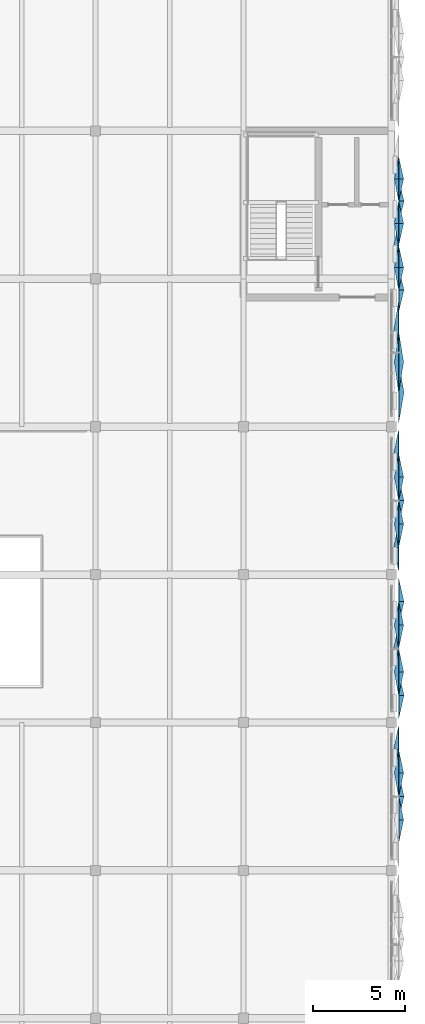
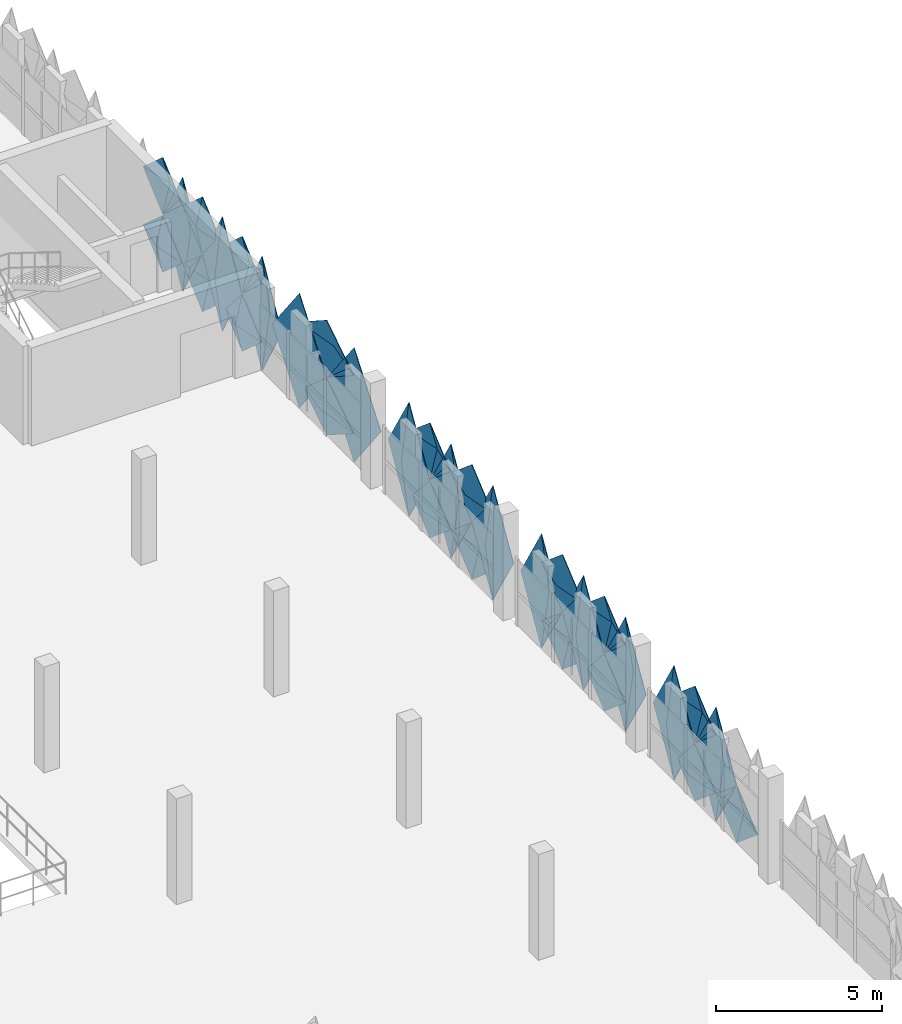
# One storey, part 61 of 83: 32 plates.
"""IFC4 building model written with IfcOpenShell, lengths in metres."""

from ifc_helpers import new_model, si_unit, derived_unit, direction, frame, origin, place, context, subcontext, project, spatial, polygons, material, layer, layer_set, type_object, element, save


model = new_model("IFC4")

# Units and contexts
model_context = context("Model", 3, precision=1e-05, world=origin(), true_north=direction((0.0, 1.0)))
body_context = subcontext(model_context, "Body", "Model", "MODEL_VIEW")
ifc_project = project(units=[si_unit("LENGTHUNIT", "METRE"), si_unit("AREAUNIT", "SQUARE_METRE"), si_unit("VOLUMEUNIT", "CUBIC_METRE"), si_unit("PLANEANGLEUNIT", "RADIAN"), si_unit("MASSUNIT", "GRAM", prefix="KILO"), si_unit("THERMODYNAMICTEMPERATUREUNIT", "KELVIN"), derived_unit("THERMALTRANSMITTANCEUNIT", [(si_unit("POWERUNIT", "WATT"), 1), (si_unit("AREAUNIT", "SQUARE_METRE"), -1), (si_unit("THERMODYNAMICTEMPERATUREUNIT", "KELVIN"), -1)])], contexts=[model_context])

# Site, building, storey
site_placement = place(None, origin())
site = spatial("IfcSite", under=ifc_project, at=site_placement, CompositionType="ELEMENT")
building_placement = place(site_placement, origin())
building = spatial("IfcBuilding", under=site, at=building_placement, Name="Haiyu Intermodal Mobility Hub", CompositionType="ELEMENT")
storey_placement = place(building_placement, frame((0.0, 0.0, 13.39990234375)))
storey = spatial("IfcBuildingStorey", under=building, at=storey_placement, Name="L03", CompositionType="ELEMENT", Elevation=13.39990234375)

# Plates
ifc_material = material(Name="Anodised aluminium 6063-T6", Category="aluminium")
ifc_layer_1 = layer(ifc_material, 0.01806640625)
ifc_layer_set_1 = layer_set([ifc_layer_1], Name="Anodised aluminium 6063-T6")
plate_type_1 = type_object("IfcPlateType", Name="PLT-FC01", PredefinedType="USERDEFINED", material=ifc_layer_set_1)
plate_1_placement = place(storey_placement, origin())
element("IfcPlate", 1, at=plate_1_placement, inside=storey, type_object=plate_type_1, Name="PLT-PYR-1380", ObjectType="FACADE CASSETTE", PredefinedType="USERDEFINED", context=body_context, shape_type="Tessellation", body=[
    polygons([(210.39990234375, 64.60009765625, 1.6201171875), (210.39990234375, 65.780029296875, 2.670166015625), (210.39990234375, 64.60009765625, 3.72021484375), (210.39990234375, 63.419921875, 2.670166015625), (210.659912109375, 64.60009765625, 2.670166015625), (210.3779296875, 64.60009765625, 1.6201171875), (210.3779296875, 65.780029296875, 2.670166015625), (210.3779296875, 64.60009765625, 3.72021484375), (210.3779296875, 63.419921875, 2.670166015625), (210.637939453125, 64.60009765625, 2.670166015625)], [[[1, 2, 5]], [[2, 3, 5]], [[3, 4, 5]], [[4, 1, 5]], [[7, 6, 10]], [[8, 7, 10]], [[9, 8, 10]], [[6, 9, 10]], [[1, 6, 7, 2]], [[2, 7, 8, 3]], [[3, 8, 9, 4]], [[4, 9, 6, 1]]], closed=True),
])
plate_2_placement = place(storey_placement, origin())
element("IfcPlate", 2, at=plate_2_placement, inside=storey, type_object=plate_type_1, Name="PLT-PYR-1386", ObjectType="FACADE CASSETTE", PredefinedType="USERDEFINED", context=body_context, shape_type="Tessellation", body=[
    polygons([(210.39990234375, 69.39990234375, 1.6201171875), (210.39990234375, 70.580078125, 2.670166015625), (210.39990234375, 69.39990234375, 3.72021484375), (210.39990234375, 68.219970703125, 2.670166015625), (210.659912109375, 69.39990234375, 2.670166015625), (210.3779296875, 69.39990234375, 1.6201171875), (210.3779296875, 70.580078125, 2.670166015625), (210.3779296875, 69.39990234375, 3.72021484375), (210.3779296875, 68.219970703125, 2.670166015625), (210.637939453125, 69.39990234375, 2.670166015625)], [[[1, 2, 5]], [[2, 3, 5]], [[3, 4, 5]], [[4, 1, 5]], [[7, 6, 10]], [[8, 7, 10]], [[9, 8, 10]], [[6, 9, 10]], [[1, 6, 7, 2]], [[2, 7, 8, 3]], [[3, 8, 9, 4]], [[4, 9, 6, 1]]], closed=True),
])
plate_3_placement = place(storey_placement, origin())
element("IfcPlate", 3, at=plate_3_placement, inside=storey, type_object=plate_type_1, Name="PLT-PYR-1795", ObjectType="FACADE CASSETTE", PredefinedType="USERDEFINED", context=body_context, shape_type="Tessellation", body=[
    polygons([(210.39990234375, 36.0, -0.510009765625), (210.39990234375, 37.2470703125, 1.60009765625), (210.39990234375, 36.0, 3.710205078125), (210.39990234375, 34.7529296875, 1.60009765625), (210.679931640625, 36.0, 1.60009765625), (210.3779296875, 36.0, -0.510009765625), (210.3779296875, 37.2470703125, 1.60009765625), (210.3779296875, 36.0, 3.710205078125), (210.3779296875, 34.7529296875, 1.60009765625), (210.657958984375, 36.0, 1.60009765625)], [[[1, 2, 5]], [[2, 3, 5]], [[3, 4, 5]], [[4, 1, 5]], [[7, 6, 10]], [[8, 7, 10]], [[9, 8, 10]], [[6, 9, 10]], [[1, 6, 7, 2]], [[2, 7, 8, 3]], [[3, 8, 9, 4]], [[4, 9, 6, 1]]], closed=True),
])
plate_4_placement = place(storey_placement, origin())
element("IfcPlate", 4, at=plate_4_placement, inside=storey, type_object=plate_type_1, Name="PLT-PYR-1797", ObjectType="FACADE CASSETTE", PredefinedType="USERDEFINED", context=body_context, shape_type="Tessellation", body=[
    polygons([(210.39990234375, 37.26708984375, 1.6201171875), (210.39990234375, 38.512939453125, 2.670166015625), (210.39990234375, 37.26708984375, 3.72021484375), (210.39990234375, 36.02001953125, 2.670166015625), (210.659912109375, 37.26708984375, 2.670166015625), (210.3779296875, 37.26708984375, 1.6201171875), (210.3779296875, 38.512939453125, 2.670166015625), (210.3779296875, 37.26708984375, 3.72021484375), (210.3779296875, 36.02001953125, 2.670166015625), (210.637939453125, 37.26708984375, 2.670166015625)], [[[1, 2, 5]], [[2, 3, 5]], [[3, 4, 5]], [[4, 1, 5]], [[7, 6, 10]], [[8, 7, 10]], [[9, 8, 10]], [[6, 9, 10]], [[1, 6, 7, 2]], [[2, 7, 8, 3]], [[3, 8, 9, 4]], [[4, 9, 6, 1]]], closed=True),
])
plate_5_placement = place(storey_placement, origin())
element("IfcPlate", 5, at=plate_5_placement, inside=storey, type_object=plate_type_1, Name="PLT-PYR-1801", ObjectType="FACADE CASSETTE", PredefinedType="USERDEFINED", context=body_context, shape_type="Tessellation", body=[
    polygons([(210.39990234375, 42.73291015625, 1.6201171875), (210.39990234375, 43.97998046875, 2.670166015625), (210.39990234375, 42.73291015625, 3.72021484375), (210.39990234375, 41.487060546875, 2.670166015625), (210.659912109375, 42.73291015625, 2.670166015625), (210.3779296875, 42.73291015625, 1.6201171875), (210.3779296875, 43.97998046875, 2.670166015625), (210.3779296875, 42.73291015625, 3.72021484375), (210.3779296875, 41.487060546875, 2.670166015625), (210.637939453125, 42.73291015625, 2.670166015625)], [[[1, 2, 5]], [[2, 3, 5]], [[3, 4, 5]], [[4, 1, 5]], [[7, 6, 10]], [[8, 7, 10]], [[9, 8, 10]], [[6, 9, 10]], [[1, 6, 7, 2]], [[2, 7, 8, 3]], [[3, 8, 9, 4]], [[4, 9, 6, 1]]], closed=True),
])
plate_6_placement = place(storey_placement, origin())
element("IfcPlate", 6, at=plate_6_placement, inside=storey, type_object=plate_type_1, Name="PLT-PYR-1809", ObjectType="FACADE CASSETTE", PredefinedType="USERDEFINED", context=body_context, shape_type="Tessellation", body=[
    polygons([(210.39990234375, 52.0, -0.510009765625), (210.39990234375, 53.2470703125, 1.60009765625), (210.39990234375, 52.0, 3.710205078125), (210.39990234375, 50.7529296875, 1.60009765625), (210.679931640625, 52.0, 1.60009765625), (210.3779296875, 52.0, -0.510009765625), (210.3779296875, 53.2470703125, 1.60009765625), (210.3779296875, 52.0, 3.710205078125), (210.3779296875, 50.7529296875, 1.60009765625), (210.657958984375, 52.0, 1.60009765625)], [[[1, 2, 5]], [[2, 3, 5]], [[3, 4, 5]], [[4, 1, 5]], [[7, 6, 10]], [[8, 7, 10]], [[9, 8, 10]], [[6, 9, 10]], [[1, 6, 7, 2]], [[2, 7, 8, 3]], [[3, 8, 9, 4]], [[4, 9, 6, 1]]], closed=True),
])
plate_7_placement = place(storey_placement, origin())
element("IfcPlate", 7, at=plate_7_placement, inside=storey, type_object=plate_type_1, Name="PLT-PYR-1811", ObjectType="FACADE CASSETTE", PredefinedType="USERDEFINED", context=body_context, shape_type="Tessellation", body=[
    polygons([(210.39990234375, 53.26708984375, 1.6201171875), (210.39990234375, 54.512939453125, 2.670166015625), (210.39990234375, 53.26708984375, 3.72021484375), (210.39990234375, 52.02001953125, 2.670166015625), (210.659912109375, 53.26708984375, 2.670166015625), (210.3779296875, 53.26708984375, 1.6201171875), (210.3779296875, 54.512939453125, 2.670166015625), (210.3779296875, 53.26708984375, 3.72021484375), (210.3779296875, 52.02001953125, 2.670166015625), (210.637939453125, 53.26708984375, 2.670166015625)], [[[1, 2, 5]], [[2, 3, 5]], [[3, 4, 5]], [[4, 1, 5]], [[7, 6, 10]], [[8, 7, 10]], [[9, 8, 10]], [[6, 9, 10]], [[1, 6, 7, 2]], [[2, 7, 8, 3]], [[3, 8, 9, 4]], [[4, 9, 6, 1]]], closed=True),
])
plate_8_placement = place(storey_placement, origin())
element("IfcPlate", 8, at=plate_8_placement, inside=storey, type_object=plate_type_1, Name="PLT-PYR-1815", ObjectType="FACADE CASSETTE", PredefinedType="USERDEFINED", context=body_context, shape_type="Tessellation", body=[
    polygons([(210.39990234375, 59.5, 1.6201171875), (210.39990234375, 61.1298828125, 2.670166015625), (210.39990234375, 59.5, 3.72021484375), (210.39990234375, 57.8701171875, 2.670166015625), (210.659912109375, 59.5, 2.670166015625), (210.3779296875, 59.5, 1.6201171875), (210.3779296875, 61.1298828125, 2.670166015625), (210.3779296875, 59.5, 3.72021484375), (210.3779296875, 57.8701171875, 2.670166015625), (210.637939453125, 59.5, 2.670166015625)], [[[1, 2, 5]], [[2, 3, 5]], [[3, 4, 5]], [[4, 1, 5]], [[7, 6, 10]], [[8, 7, 10]], [[9, 8, 10]], [[6, 9, 10]], [[1, 6, 7, 2]], [[2, 7, 8, 3]], [[3, 8, 9, 4]], [[4, 9, 6, 1]]], closed=True),
])
ifc_layer_2 = layer(ifc_material, 0.02001953125)
ifc_layer_set_2 = layer_set([ifc_layer_2], Name="Anodised aluminium 6063-T6")
plate_type_2 = type_object("IfcPlateType", Name="PLT-FC02", PredefinedType="USERDEFINED", material=ifc_layer_set_2)
plate_9_placement = place(storey_placement, origin())
element("IfcPlate", 9, at=plate_9_placement, inside=storey, type_object=plate_type_2, Name="PLT-PYR-1381", ObjectType="FACADE CASSETTE", PredefinedType="USERDEFINED", context=body_context, shape_type="Tessellation", body=[
    polygons([(210.39990234375, 65.800048828125, -0.510009765625), (210.39990234375, 66.97998046875, 1.60009765625), (210.39990234375, 65.800048828125, 3.710205078125), (210.39990234375, 64.6201171875, 1.60009765625), (210.139892578125, 65.800048828125, 1.60009765625), (210.3779296875, 65.800048828125, -0.510009765625), (210.3779296875, 66.97998046875, 1.60009765625), (210.3779296875, 65.800048828125, 3.710205078125), (210.3779296875, 64.6201171875, 1.60009765625), (210.117919921875, 65.800048828125, 1.60009765625)], [[[1, 2, 5]], [[2, 3, 5]], [[3, 4, 5]], [[4, 1, 5]], [[7, 6, 10]], [[8, 7, 10]], [[9, 8, 10]], [[6, 9, 10]], [[1, 6, 7, 2]], [[2, 7, 8, 3]], [[3, 8, 9, 4]], [[4, 9, 6, 1]]], closed=True),
])
plate_10_placement = place(storey_placement, origin())
element("IfcPlate", 10, at=plate_10_placement, inside=storey, type_object=plate_type_2, Name="PLT-PYR-1383", ObjectType="FACADE CASSETTE", PredefinedType="USERDEFINED", context=body_context, shape_type="Tessellation", body=[
    polygons([(210.39990234375, 67.0, 1.6201171875), (210.39990234375, 68.179931640625, 2.670166015625), (210.39990234375, 67.0, 3.72021484375), (210.39990234375, 65.820068359375, 2.670166015625), (210.179931640625, 67.0, 2.670166015625), (210.3779296875, 67.0, 1.6201171875), (210.3779296875, 68.179931640625, 2.670166015625), (210.3779296875, 67.0, 3.72021484375), (210.3779296875, 65.820068359375, 2.670166015625), (210.157958984375, 67.0, 2.670166015625)], [[[1, 2, 5]], [[2, 3, 5]], [[3, 4, 5]], [[4, 1, 5]], [[7, 6, 10]], [[8, 7, 10]], [[9, 8, 10]], [[6, 9, 10]], [[1, 6, 7, 2]], [[2, 7, 8, 3]], [[3, 8, 9, 4]], [[4, 9, 6, 1]]], closed=True),
])
plate_11_placement = place(storey_placement, origin())
element("IfcPlate", 11, at=plate_11_placement, inside=storey, type_object=plate_type_2, Name="PLT-PYR-1802", ObjectType="FACADE CASSETTE", PredefinedType="USERDEFINED", context=body_context, shape_type="Tessellation", body=[
    polygons([(210.39990234375, 44.0, -0.510009765625), (210.39990234375, 45.2470703125, 1.60009765625), (210.39990234375, 44.0, 3.710205078125), (210.39990234375, 42.7529296875, 1.60009765625), (210.139892578125, 44.0, 1.60009765625), (210.3779296875, 44.0, -0.510009765625), (210.3779296875, 45.2470703125, 1.60009765625), (210.3779296875, 44.0, 3.710205078125), (210.3779296875, 42.7529296875, 1.60009765625), (210.117919921875, 44.0, 1.60009765625)], [[[1, 2, 5]], [[2, 3, 5]], [[3, 4, 5]], [[4, 1, 5]], [[7, 6, 10]], [[8, 7, 10]], [[9, 8, 10]], [[6, 9, 10]], [[1, 6, 7, 2]], [[2, 7, 8, 3]], [[3, 8, 9, 4]], [[4, 9, 6, 1]]], closed=True),
])
plate_12_placement = place(storey_placement, origin())
element("IfcPlate", 12, at=plate_12_placement, inside=storey, type_object=plate_type_2, Name="PLT-PYR-1804", ObjectType="FACADE CASSETTE", PredefinedType="USERDEFINED", context=body_context, shape_type="Tessellation", body=[
    polygons([(210.39990234375, 45.26708984375, 1.6201171875), (210.39990234375, 46.512939453125, 2.670166015625), (210.39990234375, 45.26708984375, 3.72021484375), (210.39990234375, 44.02001953125, 2.670166015625), (210.179931640625, 45.26708984375, 2.670166015625), (210.3779296875, 45.26708984375, 1.6201171875), (210.3779296875, 46.512939453125, 2.670166015625), (210.3779296875, 45.26708984375, 3.72021484375), (210.3779296875, 44.02001953125, 2.670166015625), (210.157958984375, 45.26708984375, 2.670166015625)], [[[1, 2, 5]], [[2, 3, 5]], [[3, 4, 5]], [[4, 1, 5]], [[7, 6, 10]], [[8, 7, 10]], [[9, 8, 10]], [[6, 9, 10]], [[1, 6, 7, 2]], [[2, 7, 8, 3]], [[3, 8, 9, 4]], [[4, 9, 6, 1]]], closed=True),
])
plate_13_placement = place(storey_placement, origin())
element("IfcPlate", 13, at=plate_13_placement, inside=storey, type_object=plate_type_2, Name="PLT-PYR-1808", ObjectType="FACADE CASSETTE", PredefinedType="USERDEFINED", context=body_context, shape_type="Tessellation", body=[
    polygons([(210.39990234375, 50.73291015625, 1.6201171875), (210.39990234375, 51.97998046875, 2.670166015625), (210.39990234375, 50.73291015625, 3.72021484375), (210.39990234375, 49.487060546875, 2.670166015625), (210.179931640625, 50.73291015625, 2.670166015625), (210.3779296875, 50.73291015625, 1.6201171875), (210.3779296875, 51.97998046875, 2.670166015625), (210.3779296875, 50.73291015625, 3.72021484375), (210.3779296875, 49.487060546875, 2.670166015625), (210.157958984375, 50.73291015625, 2.670166015625)], [[[1, 2, 5]], [[2, 3, 5]], [[3, 4, 5]], [[4, 1, 5]], [[7, 6, 10]], [[8, 7, 10]], [[9, 8, 10]], [[6, 9, 10]], [[1, 6, 7, 2]], [[2, 7, 8, 3]], [[3, 8, 9, 4]], [[4, 9, 6, 1]]], closed=True),
])
plate_14_placement = place(storey_placement, origin())
element("IfcPlate", 14, at=plate_14_placement, inside=storey, type_object=plate_type_2, Name="PLT-PYR-1816", ObjectType="FACADE CASSETTE", PredefinedType="USERDEFINED", context=body_context, shape_type="Tessellation", body=[
    polygons([(210.39990234375, 61.14990234375, -0.510009765625), (210.39990234375, 62.780029296875, 1.60009765625), (210.39990234375, 61.14990234375, 3.710205078125), (210.39990234375, 59.52001953125, 1.60009765625), (210.139892578125, 61.14990234375, 1.60009765625), (210.3779296875, 61.14990234375, -0.510009765625), (210.3779296875, 62.780029296875, 1.60009765625), (210.3779296875, 61.14990234375, 3.710205078125), (210.3779296875, 59.52001953125, 1.60009765625), (210.117919921875, 61.14990234375, 1.60009765625)], [[[1, 2, 5]], [[2, 3, 5]], [[3, 4, 5]], [[4, 1, 5]], [[7, 6, 10]], [[8, 7, 10]], [[9, 8, 10]], [[6, 9, 10]], [[1, 6, 7, 2]], [[2, 7, 8, 3]], [[3, 8, 9, 4]], [[4, 9, 6, 1]]], closed=True),
])
ifc_layer_3 = layer(ifc_material, 0.01806640625)
ifc_layer_set_3 = layer_set([ifc_layer_3], Name="Anodised aluminium 6063-T6")
plate_type_3 = type_object("IfcPlateType", Name="PLT-FC03", PredefinedType="USERDEFINED", material=ifc_layer_set_3)
plate_15_placement = place(storey_placement, origin())
element("IfcPlate", 15, at=plate_15_placement, inside=storey, type_object=plate_type_3, Name="PLT-PYR-1384", ObjectType="FACADE CASSETTE", PredefinedType="USERDEFINED", context=body_context, shape_type="Tessellation", body=[
    polygons([(210.39990234375, 68.199951171875, -0.510009765625), (210.39990234375, 69.3798828125, 1.60009765625), (210.39990234375, 68.199951171875, 3.710205078125), (210.39990234375, 67.02001953125, 1.60009765625), (210.679931640625, 68.199951171875, 1.60009765625), (210.3779296875, 68.199951171875, -0.510009765625), (210.3779296875, 69.3798828125, 1.60009765625), (210.3779296875, 68.199951171875, 3.710205078125), (210.3779296875, 67.02001953125, 1.60009765625), (210.657958984375, 68.199951171875, 1.60009765625)], [[[1, 2, 5]], [[2, 3, 5]], [[3, 4, 5]], [[4, 1, 5]], [[7, 6, 10]], [[8, 7, 10]], [[9, 8, 10]], [[6, 9, 10]], [[1, 6, 7, 2]], [[2, 7, 8, 3]], [[3, 8, 9, 4]], [[4, 9, 6, 1]]], closed=True),
])
plate_16_placement = place(storey_placement, origin())
element("IfcPlate", 16, at=plate_16_placement, inside=storey, type_object=plate_type_3, Name="PLT-PYR-1805", ObjectType="FACADE CASSETTE", PredefinedType="USERDEFINED", context=body_context, shape_type="Tessellation", body=[
    polygons([(210.39990234375, 46.532958984375, -0.510009765625), (210.39990234375, 47.780029296875, 1.60009765625), (210.39990234375, 46.532958984375, 3.710205078125), (210.39990234375, 45.287109375, 1.60009765625), (210.679931640625, 46.532958984375, 1.60009765625), (210.3779296875, 46.532958984375, -0.510009765625), (210.3779296875, 47.780029296875, 1.60009765625), (210.3779296875, 46.532958984375, 3.710205078125), (210.3779296875, 45.287109375, 1.60009765625), (210.657958984375, 46.532958984375, 1.60009765625)], [[[1, 2, 5]], [[2, 3, 5]], [[3, 4, 5]], [[4, 1, 5]], [[7, 6, 10]], [[8, 7, 10]], [[9, 8, 10]], [[6, 9, 10]], [[1, 6, 7, 2]], [[2, 7, 8, 3]], [[3, 8, 9, 4]], [[4, 9, 6, 1]]], closed=True),
])
ifc_layer_4 = layer(ifc_material, 0.02001953125)
ifc_layer_set_4 = layer_set([ifc_layer_4], Name="Anodised aluminium 6063-T6")
plate_type_4 = type_object("IfcPlateType", Name="PLT-FC04", PredefinedType="USERDEFINED", material=ifc_layer_set_4)
plate_17_placement = place(storey_placement, origin())
element("IfcPlate", 17, at=plate_17_placement, inside=storey, type_object=plate_type_4, Name="PLT-PYR-1798", ObjectType="FACADE CASSETTE", PredefinedType="USERDEFINED", context=body_context, shape_type="Tessellation", body=[
    polygons([(210.39990234375, 38.532958984375, -0.510009765625), (210.39990234375, 39.780029296875, 1.60009765625), (210.39990234375, 38.532958984375, 3.710205078125), (210.39990234375, 37.287109375, 1.60009765625), (210.139892578125, 38.532958984375, 1.60009765625), (210.3779296875, 38.532958984375, -0.510009765625), (210.3779296875, 39.780029296875, 1.60009765625), (210.3779296875, 38.532958984375, 3.710205078125), (210.3779296875, 37.287109375, 1.60009765625), (210.117919921875, 38.532958984375, 1.60009765625)], [[[1, 2, 5]], [[2, 3, 5]], [[3, 4, 5]], [[4, 1, 5]], [[7, 6, 10]], [[8, 7, 10]], [[9, 8, 10]], [[6, 9, 10]], [[1, 6, 7, 2]], [[2, 7, 8, 3]], [[3, 8, 9, 4]], [[4, 9, 6, 1]]], closed=True),
])
plate_18_placement = place(storey_placement, origin())
element("IfcPlate", 18, at=plate_18_placement, inside=storey, type_object=plate_type_4, Name="PLT-PYR-1812", ObjectType="FACADE CASSETTE", PredefinedType="USERDEFINED", context=body_context, shape_type="Tessellation", body=[
    polygons([(210.39990234375, 54.532958984375, -0.510009765625), (210.39990234375, 55.780029296875, 1.60009765625), (210.39990234375, 54.532958984375, 3.710205078125), (210.39990234375, 53.287109375, 1.60009765625), (210.139892578125, 54.532958984375, 1.60009765625), (210.3779296875, 54.532958984375, -0.510009765625), (210.3779296875, 55.780029296875, 1.60009765625), (210.3779296875, 54.532958984375, 3.710205078125), (210.3779296875, 53.287109375, 1.60009765625), (210.117919921875, 54.532958984375, 1.60009765625)], [[[1, 2, 5]], [[2, 3, 5]], [[3, 4, 5]], [[4, 1, 5]], [[7, 6, 10]], [[8, 7, 10]], [[9, 8, 10]], [[6, 9, 10]], [[1, 6, 7, 2]], [[2, 7, 8, 3]], [[3, 8, 9, 4]], [[4, 9, 6, 1]]], closed=True),
])
ifc_layer_5 = layer(ifc_material, 0.02197265625)
ifc_layer_set_5 = layer_set([ifc_layer_5], Name="Anodised aluminium 6063-T6")
plate_type_5 = type_object("IfcPlateType", Name="PLT-FC07", PredefinedType="USERDEFINED", material=ifc_layer_set_5)
plate_19_placement = place(storey_placement, origin())
element("IfcPlate", 19, at=plate_19_placement, inside=storey, type_object=plate_type_5, Name="PLT-PYR-1378", ObjectType="FACADE CASSETTE", PredefinedType="USERDEFINED", context=body_context, shape_type="Tessellation", body=[
    polygons([(210.39990234375, 63.39990234375, -0.510009765625), (210.39990234375, 64.580078125, 1.60009765625), (210.39990234375, 63.39990234375, 3.710205078125), (210.39990234375, 62.219970703125, 1.60009765625), (210.679931640625, 63.39990234375, 1.60009765625), (210.3779296875, 63.39990234375, -0.510009765625), (210.3779296875, 64.580078125, 1.60009765625), (210.3779296875, 63.39990234375, 3.710205078125), (210.3779296875, 62.219970703125, 1.60009765625), (210.657958984375, 63.39990234375, 1.60009765625)], [[[1, 2, 5]], [[2, 3, 5]], [[3, 4, 5]], [[4, 1, 5]], [[7, 6, 10]], [[8, 7, 10]], [[9, 8, 10]], [[6, 9, 10]], [[1, 6, 7, 2]], [[2, 7, 8, 3]], [[3, 8, 9, 4]], [[4, 9, 6, 1]]], closed=True),
])
plate_20_placement = place(storey_placement, origin())
element("IfcPlate", 20, at=plate_20_placement, inside=storey, type_object=plate_type_5, Name="PLT-PYR-1382", ObjectType="FACADE CASSETTE", PredefinedType="USERDEFINED", context=body_context, shape_type="Tessellation", body=[
    polygons([(210.39990234375, 67.0, -0.52001953125), (210.39990234375, 68.179931640625, 0.530029296875), (210.39990234375, 67.0, 1.580078125), (210.39990234375, 65.820068359375, 0.530029296875), (210.659912109375, 67.0, 0.530029296875), (210.3779296875, 67.0, -0.52001953125), (210.3779296875, 68.179931640625, 0.530029296875), (210.3779296875, 67.0, 1.580078125), (210.3779296875, 65.820068359375, 0.530029296875), (210.637939453125, 67.0, 0.530029296875)], [[[1, 2, 5]], [[2, 3, 5]], [[3, 4, 5]], [[4, 1, 5]], [[7, 6, 10]], [[8, 7, 10]], [[9, 8, 10]], [[6, 9, 10]], [[1, 6, 7, 2]], [[2, 7, 8, 3]], [[3, 8, 9, 4]], [[4, 9, 6, 1]]], closed=True),
])
plate_21_placement = place(storey_placement, origin())
element("IfcPlate", 21, at=plate_21_placement, inside=storey, type_object=plate_type_5, Name="PLT-PYR-1793", ObjectType="FACADE CASSETTE", PredefinedType="USERDEFINED", context=body_context, shape_type="Tessellation", body=[
    polygons([(210.39990234375, 34.73291015625, -0.52001953125), (210.39990234375, 35.97998046875, 0.530029296875), (210.39990234375, 34.73291015625, 1.580078125), (210.39990234375, 33.487060546875, 0.530029296875), (210.659912109375, 34.73291015625, 0.530029296875), (210.3779296875, 34.73291015625, -0.52001953125), (210.3779296875, 35.97998046875, 0.530029296875), (210.3779296875, 34.73291015625, 1.580078125), (210.3779296875, 33.487060546875, 0.530029296875), (210.637939453125, 34.73291015625, 0.530029296875)], [[[1, 2, 5]], [[2, 3, 5]], [[3, 4, 5]], [[4, 1, 5]], [[7, 6, 10]], [[8, 7, 10]], [[9, 8, 10]], [[6, 9, 10]], [[1, 6, 7, 2]], [[2, 7, 8, 3]], [[3, 8, 9, 4]], [[4, 9, 6, 1]]], closed=True),
])
plate_22_placement = place(storey_placement, origin())
element("IfcPlate", 22, at=plate_22_placement, inside=storey, type_object=plate_type_5, Name="PLT-PYR-1799", ObjectType="FACADE CASSETTE", PredefinedType="USERDEFINED", context=body_context, shape_type="Tessellation", body=[
    polygons([(210.39990234375, 41.467041015625, -0.510009765625), (210.39990234375, 42.712890625, 1.60009765625), (210.39990234375, 41.467041015625, 3.710205078125), (210.39990234375, 40.219970703125, 1.60009765625), (210.679931640625, 41.467041015625, 1.60009765625), (210.3779296875, 41.467041015625, -0.510009765625), (210.3779296875, 42.712890625, 1.60009765625), (210.3779296875, 41.467041015625, 3.710205078125), (210.3779296875, 40.219970703125, 1.60009765625), (210.657958984375, 41.467041015625, 1.60009765625)], [[[1, 2, 5]], [[2, 3, 5]], [[3, 4, 5]], [[4, 1, 5]], [[7, 6, 10]], [[8, 7, 10]], [[9, 8, 10]], [[6, 9, 10]], [[1, 6, 7, 2]], [[2, 7, 8, 3]], [[3, 8, 9, 4]], [[4, 9, 6, 1]]], closed=True),
])
plate_23_placement = place(storey_placement, origin())
element("IfcPlate", 23, at=plate_23_placement, inside=storey, type_object=plate_type_5, Name="PLT-PYR-1803", ObjectType="FACADE CASSETTE", PredefinedType="USERDEFINED", context=body_context, shape_type="Tessellation", body=[
    polygons([(210.39990234375, 45.26708984375, -0.52001953125), (210.39990234375, 46.512939453125, 0.530029296875), (210.39990234375, 45.26708984375, 1.580078125), (210.39990234375, 44.02001953125, 0.530029296875), (210.659912109375, 45.26708984375, 0.530029296875), (210.3779296875, 45.26708984375, -0.52001953125), (210.3779296875, 46.512939453125, 0.530029296875), (210.3779296875, 45.26708984375, 1.580078125), (210.3779296875, 44.02001953125, 0.530029296875), (210.637939453125, 45.26708984375, 0.530029296875)], [[[1, 2, 5]], [[2, 3, 5]], [[3, 4, 5]], [[4, 1, 5]], [[7, 6, 10]], [[8, 7, 10]], [[9, 8, 10]], [[6, 9, 10]], [[1, 6, 7, 2]], [[2, 7, 8, 3]], [[3, 8, 9, 4]], [[4, 9, 6, 1]]], closed=True),
])
plate_24_placement = place(storey_placement, origin())
element("IfcPlate", 24, at=plate_24_placement, inside=storey, type_object=plate_type_5, Name="PLT-PYR-1807", ObjectType="FACADE CASSETTE", PredefinedType="USERDEFINED", context=body_context, shape_type="Tessellation", body=[
    polygons([(210.39990234375, 50.73291015625, -0.52001953125), (210.39990234375, 51.97998046875, 0.530029296875), (210.39990234375, 50.73291015625, 1.580078125), (210.39990234375, 49.487060546875, 0.530029296875), (210.659912109375, 50.73291015625, 0.530029296875), (210.3779296875, 50.73291015625, -0.52001953125), (210.3779296875, 51.97998046875, 0.530029296875), (210.3779296875, 50.73291015625, 1.580078125), (210.3779296875, 49.487060546875, 0.530029296875), (210.637939453125, 50.73291015625, 0.530029296875)], [[[1, 2, 5]], [[2, 3, 5]], [[3, 4, 5]], [[4, 1, 5]], [[7, 6, 10]], [[8, 7, 10]], [[9, 8, 10]], [[6, 9, 10]], [[1, 6, 7, 2]], [[2, 7, 8, 3]], [[3, 8, 9, 4]], [[4, 9, 6, 1]]], closed=True),
])
plate_25_placement = place(storey_placement, origin())
element("IfcPlate", 25, at=plate_25_placement, inside=storey, type_object=plate_type_5, Name="PLT-PYR-1813", ObjectType="FACADE CASSETTE", PredefinedType="USERDEFINED", context=body_context, shape_type="Tessellation", body=[
    polygons([(210.39990234375, 57.85009765625, -0.510009765625), (210.39990234375, 59.47998046875, 1.60009765625), (210.39990234375, 57.85009765625, 3.710205078125), (210.39990234375, 56.219970703125, 1.60009765625), (210.679931640625, 57.85009765625, 1.60009765625), (210.3779296875, 57.85009765625, -0.510009765625), (210.3779296875, 59.47998046875, 1.60009765625), (210.3779296875, 57.85009765625, 3.710205078125), (210.3779296875, 56.219970703125, 1.60009765625), (210.657958984375, 57.85009765625, 1.60009765625)], [[[1, 2, 5]], [[2, 3, 5]], [[3, 4, 5]], [[4, 1, 5]], [[7, 6, 10]], [[8, 7, 10]], [[9, 8, 10]], [[6, 9, 10]], [[1, 6, 7, 2]], [[2, 7, 8, 3]], [[3, 8, 9, 4]], [[4, 9, 6, 1]]], closed=True),
])
ifc_layer_6 = layer(ifc_material, 0.02392578125)
ifc_layer_set_6 = layer_set([ifc_layer_6], Name="Anodised aluminium 6063-T6")
plate_type_6 = type_object("IfcPlateType", Name="PLT-FC08", PredefinedType="USERDEFINED", material=ifc_layer_set_6)
plate_26_placement = place(storey_placement, origin())
element("IfcPlate", 26, at=plate_26_placement, inside=storey, type_object=plate_type_6, Name="PLT-PYR-1379", ObjectType="FACADE CASSETTE", PredefinedType="USERDEFINED", context=body_context, shape_type="Tessellation", body=[
    polygons([(210.39990234375, 64.60009765625, -0.52001953125), (210.39990234375, 65.780029296875, 0.530029296875), (210.39990234375, 64.60009765625, 1.580078125), (210.39990234375, 63.419921875, 0.530029296875), (210.179931640625, 64.60009765625, 0.530029296875), (210.3779296875, 64.60009765625, -0.52001953125), (210.3779296875, 65.780029296875, 0.530029296875), (210.3779296875, 64.60009765625, 1.580078125), (210.3779296875, 63.419921875, 0.530029296875), (210.157958984375, 64.60009765625, 0.530029296875)], [[[1, 2, 5]], [[2, 3, 5]], [[3, 4, 5]], [[4, 1, 5]], [[7, 6, 10]], [[8, 7, 10]], [[9, 8, 10]], [[6, 9, 10]], [[1, 6, 7, 2]], [[2, 7, 8, 3]], [[3, 8, 9, 4]], [[4, 9, 6, 1]]], closed=True),
])
plate_27_placement = place(storey_placement, origin())
element("IfcPlate", 27, at=plate_27_placement, inside=storey, type_object=plate_type_6, Name="PLT-PYR-1385", ObjectType="FACADE CASSETTE", PredefinedType="USERDEFINED", context=body_context, shape_type="Tessellation", body=[
    polygons([(210.39990234375, 69.39990234375, -0.52001953125), (210.39990234375, 70.580078125, 0.530029296875), (210.39990234375, 69.39990234375, 1.580078125), (210.39990234375, 68.219970703125, 0.530029296875), (210.179931640625, 69.39990234375, 0.530029296875), (210.3779296875, 69.39990234375, -0.52001953125), (210.3779296875, 70.580078125, 0.530029296875), (210.3779296875, 69.39990234375, 1.580078125), (210.3779296875, 68.219970703125, 0.530029296875), (210.157958984375, 69.39990234375, 0.530029296875)], [[[1, 2, 5]], [[2, 3, 5]], [[3, 4, 5]], [[4, 1, 5]], [[7, 6, 10]], [[8, 7, 10]], [[9, 8, 10]], [[6, 9, 10]], [[1, 6, 7, 2]], [[2, 7, 8, 3]], [[3, 8, 9, 4]], [[4, 9, 6, 1]]], closed=True),
])
plate_28_placement = place(storey_placement, origin())
element("IfcPlate", 28, at=plate_28_placement, inside=storey, type_object=plate_type_6, Name="PLT-PYR-1796", ObjectType="FACADE CASSETTE", PredefinedType="USERDEFINED", context=body_context, shape_type="Tessellation", body=[
    polygons([(210.39990234375, 37.26708984375, -0.52001953125), (210.39990234375, 38.512939453125, 0.530029296875), (210.39990234375, 37.26708984375, 1.580078125), (210.39990234375, 36.02001953125, 0.530029296875), (210.179931640625, 37.26708984375, 0.530029296875), (210.3779296875, 37.26708984375, -0.52001953125), (210.3779296875, 38.512939453125, 0.530029296875), (210.3779296875, 37.26708984375, 1.580078125), (210.3779296875, 36.02001953125, 0.530029296875), (210.157958984375, 37.26708984375, 0.530029296875)], [[[1, 2, 5]], [[2, 3, 5]], [[3, 4, 5]], [[4, 1, 5]], [[7, 6, 10]], [[8, 7, 10]], [[9, 8, 10]], [[6, 9, 10]], [[1, 6, 7, 2]], [[2, 7, 8, 3]], [[3, 8, 9, 4]], [[4, 9, 6, 1]]], closed=True),
])
plate_29_placement = place(storey_placement, origin())
element("IfcPlate", 29, at=plate_29_placement, inside=storey, type_object=plate_type_6, Name="PLT-PYR-1800", ObjectType="FACADE CASSETTE", PredefinedType="USERDEFINED", context=body_context, shape_type="Tessellation", body=[
    polygons([(210.39990234375, 42.73291015625, -0.52001953125), (210.39990234375, 43.97998046875, 0.530029296875), (210.39990234375, 42.73291015625, 1.580078125), (210.39990234375, 41.487060546875, 0.530029296875), (210.179931640625, 42.73291015625, 0.530029296875), (210.3779296875, 42.73291015625, -0.52001953125), (210.3779296875, 43.97998046875, 0.530029296875), (210.3779296875, 42.73291015625, 1.580078125), (210.3779296875, 41.487060546875, 0.530029296875), (210.157958984375, 42.73291015625, 0.530029296875)], [[[1, 2, 5]], [[2, 3, 5]], [[3, 4, 5]], [[4, 1, 5]], [[7, 6, 10]], [[8, 7, 10]], [[9, 8, 10]], [[6, 9, 10]], [[1, 6, 7, 2]], [[2, 7, 8, 3]], [[3, 8, 9, 4]], [[4, 9, 6, 1]]], closed=True),
])
plate_30_placement = place(storey_placement, origin())
element("IfcPlate", 30, at=plate_30_placement, inside=storey, type_object=plate_type_6, Name="PLT-PYR-1806", ObjectType="FACADE CASSETTE", PredefinedType="USERDEFINED", context=body_context, shape_type="Tessellation", body=[
    polygons([(210.39990234375, 49.467041015625, -0.510009765625), (210.39990234375, 50.712890625, 1.60009765625), (210.39990234375, 49.467041015625, 3.710205078125), (210.39990234375, 48.219970703125, 1.60009765625), (210.139892578125, 49.467041015625, 1.60009765625), (210.3779296875, 49.467041015625, -0.510009765625), (210.3779296875, 50.712890625, 1.60009765625), (210.3779296875, 49.467041015625, 3.710205078125), (210.3779296875, 48.219970703125, 1.60009765625), (210.117919921875, 49.467041015625, 1.60009765625)], [[[1, 2, 5]], [[2, 3, 5]], [[3, 4, 5]], [[4, 1, 5]], [[7, 6, 10]], [[8, 7, 10]], [[9, 8, 10]], [[6, 9, 10]], [[1, 6, 7, 2]], [[2, 7, 8, 3]], [[3, 8, 9, 4]], [[4, 9, 6, 1]]], closed=True),
])
plate_31_placement = place(storey_placement, origin())
element("IfcPlate", 31, at=plate_31_placement, inside=storey, type_object=plate_type_6, Name="PLT-PYR-1810", ObjectType="FACADE CASSETTE", PredefinedType="USERDEFINED", context=body_context, shape_type="Tessellation", body=[
    polygons([(210.39990234375, 53.26708984375, -0.52001953125), (210.39990234375, 54.512939453125, 0.530029296875), (210.39990234375, 53.26708984375, 1.580078125), (210.39990234375, 52.02001953125, 0.530029296875), (210.179931640625, 53.26708984375, 0.530029296875), (210.3779296875, 53.26708984375, -0.52001953125), (210.3779296875, 54.512939453125, 0.530029296875), (210.3779296875, 53.26708984375, 1.580078125), (210.3779296875, 52.02001953125, 0.530029296875), (210.157958984375, 53.26708984375, 0.530029296875)], [[[1, 2, 5]], [[2, 3, 5]], [[3, 4, 5]], [[4, 1, 5]], [[7, 6, 10]], [[8, 7, 10]], [[9, 8, 10]], [[6, 9, 10]], [[1, 6, 7, 2]], [[2, 7, 8, 3]], [[3, 8, 9, 4]], [[4, 9, 6, 1]]], closed=True),
])
plate_32_placement = place(storey_placement, origin())
element("IfcPlate", 32, at=plate_32_placement, inside=storey, type_object=plate_type_6, Name="PLT-PYR-1814", ObjectType="FACADE CASSETTE", PredefinedType="USERDEFINED", context=body_context, shape_type="Tessellation", body=[
    polygons([(210.39990234375, 59.5, -0.52001953125), (210.39990234375, 61.1298828125, 0.530029296875), (210.39990234375, 59.5, 1.580078125), (210.39990234375, 57.8701171875, 0.530029296875), (210.179931640625, 59.5, 0.530029296875), (210.3779296875, 59.5, -0.52001953125), (210.3779296875, 61.1298828125, 0.530029296875), (210.3779296875, 59.5, 1.580078125), (210.3779296875, 57.8701171875, 0.530029296875), (210.157958984375, 59.5, 0.530029296875)], [[[1, 2, 5]], [[2, 3, 5]], [[3, 4, 5]], [[4, 1, 5]], [[7, 6, 10]], [[8, 7, 10]], [[9, 8, 10]], [[6, 9, 10]], [[1, 6, 7, 2]], [[2, 7, 8, 3]], [[3, 8, 9, 4]], [[4, 9, 6, 1]]], closed=True),
])

save(model, "model.ifc")
